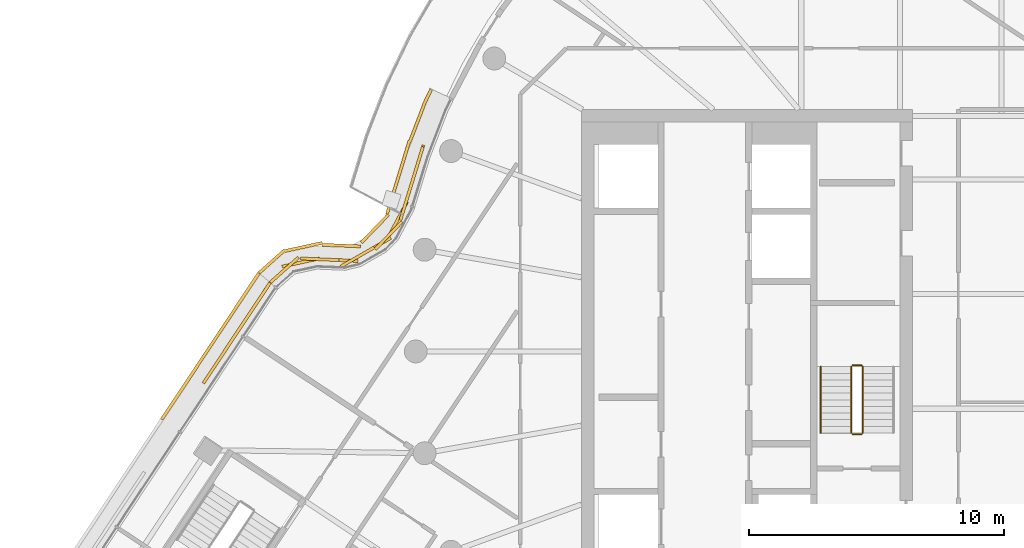
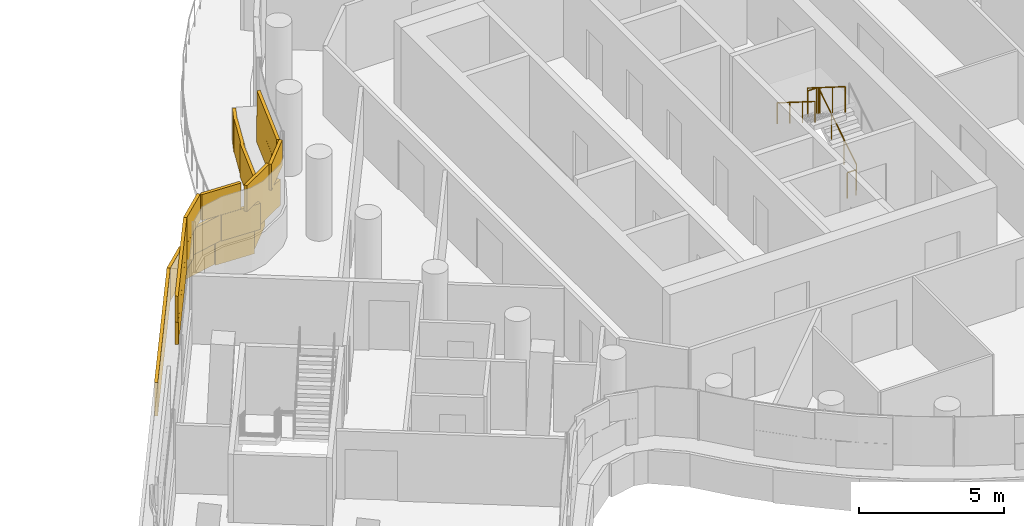
# One storey, part 23 of 27: 5 railings, 2 coverings.
"""IFC4 building model written with IfcOpenShell, lengths in metres."""

import ifcopenshell
import ifcopenshell.guid

model = None  # the IFC model being written
_history = None  # IfcOwnerHistory: only IFC2X3 demands one
_inside = {}  # id of a spatial element -> (the spatial element, [elements in it])
_under = {}  # id of a project, library or spatial element -> (it, [spatial elements below it])
_declared = {}  # id of a project -> (the project, [libraries it declares])
_typed = {}  # id of a type object -> (the type object, [elements of that type])
_made_of = {}  # id of a material, layer set ... -> (it, [elements and type objects made of it])


def new_model(schema):
    """Start an empty IFC model of exactly this schema.

    Asked for "IFC4X3", IfcOpenShell would pick the latest addendum, in which some entities
    have other attributes; the version numbers below select the first issue.
    IFC2X3 requires an IfcOwnerHistory on every rooted entity: one is made here for all.
    """
    global model, _history
    if schema == "IFC4X3":
        model = ifcopenshell.file(schema_version=(4, 3, 0, 0))
    else:
        model = ifcopenshell.file(schema=schema)
    _inside.clear()
    _under.clear()
    _declared.clear()
    _typed.clear()
    _made_of.clear()
    _history = None
    if model.schema == "IFC2X3":
        org = make("IfcOrganization", Name="unknown")
        user = make(
            "IfcPersonAndOrganization",
            ThePerson=make("IfcPerson", FamilyName="unknown"),
            TheOrganization=org,
        )
        app = make(
            "IfcApplication",
            ApplicationDeveloper=org,
            Version="unknown",
            ApplicationFullName="unknown",
            ApplicationIdentifier="unknown",
        )
        _history = make(
            "IfcOwnerHistory",
            OwningUser=user,
            OwningApplication=app,
            ChangeAction="ADDED",
            CreationDate=0,
        )
    return model


def make(cls, **values):
    """One entity of the class cls with the attributes given. An attribute that is None is left unset."""
    return model.create_entity(
        cls, **{name: value for name, value in values.items() if value is not None}
    )


def rooted(cls, **values):
    """An entity with a GlobalId (a new one), such as an element, a storey or a relation."""
    return make(cls, GlobalId=ifcopenshell.guid.new(), OwnerHistory=_history, **values)


def si_unit(unit_type, name, prefix=None):
    """IfcSIUnit, for example si_unit("LENGTHUNIT", "METRE", prefix="MILLI")."""
    return make("IfcSIUnit", UnitType=unit_type, Prefix=prefix, Name=name)


def assignment(units):
    """IfcUnitAssignment: the units of a project."""
    return None if units is None else make("IfcUnitAssignment", Units=units)


def point(xyz):
    """IfcCartesianPoint."""
    return None if xyz is None else make("IfcCartesianPoint", Coordinates=xyz)


def direction(xyz):
    """IfcDirection."""
    return None if xyz is None else make("IfcDirection", DirectionRatios=xyz)


def frame(location, z_axis=None, x_axis=None):
    """IfcAxis2Placement3D, a coordinate frame: its origin and axes. An axis left out is left unset."""
    return make(
        "IfcAxis2Placement3D",
        Location=point(location),
        Axis=direction(z_axis),
        RefDirection=direction(x_axis),
    )


def frame_2d(location, x_axis=None):
    """IfcAxis2Placement2D, a coordinate frame in the plane: its origin and x axis."""
    return make(
        "IfcAxis2Placement2D", Location=point(location), RefDirection=direction(x_axis)
    )


def origin():
    """The frame at (0, 0, 0) with its axes left unset."""
    return frame((0.0, 0.0, 0.0))


def origin_2d():
    """The frame at (0, 0) in the plane with its x axis left unset."""
    return frame_2d((0.0, 0.0))


def place(relative_to, where):
    """IfcLocalPlacement: puts the frame where relative to a parent placement (None: the world)."""
    return make(
        "IfcLocalPlacement", PlacementRelTo=relative_to, RelativePlacement=where
    )


def context(
    kind, dimensions, precision=None, world=None, true_north=None, identifier=None
):
    """IfcGeometricRepresentationContext, for example the 3D "Model" context."""
    return make(
        "IfcGeometricRepresentationContext",
        ContextIdentifier=identifier,
        ContextType=kind,
        CoordinateSpaceDimension=dimensions,
        Precision=precision,
        WorldCoordinateSystem=world,
        TrueNorth=true_north,
    )


def subcontext(parent, identifier, kind, view, scale=None):
    """IfcGeometricRepresentationSubContext, for example "Body" below "Model"."""
    return make(
        "IfcGeometricRepresentationSubContext",
        ContextIdentifier=identifier,
        ContextType=kind,
        ParentContext=parent,
        TargetScale=scale,
        TargetView=view,
    )


def project(units=None, contexts=None):
    """IfcProject with its units and contexts."""
    return rooted(
        "IfcProject",
        Name="project",
        RepresentationContexts=contexts,
        UnitsInContext=assignment(units),
    )


def spatial(cls, under=None, at=None, **own):
    """A site, building, storey or space (cls), placed at a placement, below another one or the project."""
    s = rooted(cls, ObjectPlacement=at, **own)
    if under is not None:
        _under.setdefault(under.id(), (under, []))[1].append(s)
    return s


def profile(cls, at=None, kind="AREA", **sizes):
    """A parametric profile (cls). Its sizes go by their IFC names, for example OverallWidth=200.0."""
    return make(cls, ProfileType=kind, Position=at, **sizes)


def rectangle(**sizes):
    """IfcRectangleProfileDef."""
    return profile("IfcRectangleProfileDef", **sizes)


def circle(**sizes):
    """IfcCircleProfileDef."""
    return profile("IfcCircleProfileDef", **sizes)


def extrude(swept, where, along, depth):
    """IfcExtrudedAreaSolid: the profile swept, set in the frame where, extruded along a direction by depth."""
    return make(
        "IfcExtrudedAreaSolid",
        SweptArea=swept,
        Position=where,
        ExtrudedDirection=direction(along),
        Depth=depth,
    )


def shape(context_of_items, identifier, shape_type, items):
    """IfcShapeRepresentation: the items that make up one representation, for example the "Body"."""
    return make(
        "IfcShapeRepresentation",
        ContextOfItems=context_of_items,
        RepresentationIdentifier=identifier,
        RepresentationType=shape_type,
        Items=items,
    )


def material(Name=None, Category=None):
    """IfcMaterial."""
    return make("IfcMaterial", Name=Name, Category=Category)


def layer(
    of_material, thickness, ventilated=None, Name=None, Category=None, Priority=None
):
    """IfcMaterialLayer: one layer of a wall or slab, of a material (None: an air gap)."""
    return make(
        "IfcMaterialLayer",
        Material=of_material,
        LayerThickness=thickness,
        IsVentilated=ventilated,
        Name=Name,
        Category=Category,
        Priority=Priority,
    )


def layer_set(layers, Name=None):
    """IfcMaterialLayerSet."""
    return make("IfcMaterialLayerSet", MaterialLayers=layers, LayerSetName=Name)


def made_of(thing, what):
    """Note that an element or type object is made of a material, layer set ...; save() writes the relation."""
    if what is not None:
        _made_of.setdefault(what.id(), (what, []))[1].append(thing)
    return thing


def type_object(cls, material=None, **own):
    """A type object (cls), such as IfcWallType, which elements share."""
    return made_of(rooted(cls, **own), material)


def element(
    cls,
    number,
    at=None,
    inside=None,
    cuts=None,
    type_object=None,
    material=None,
    context=None,
    identifier="Body",
    shape_type=None,
    held_by="IfcProductDefinitionShape",
    body=None,
    shapes=None,
    **own,
):
    """One element of the class cls, such as IfcWall. Its Tag is "e" and its number.

    at: its placement. inside: the storey or other place that contains it. cuts: it is an
    opening in that element (IfcRelVoidsElement). A single representation is given by context,
    identifier, shape_type and body (its items); several are given by shapes. held_by: the class
    of the entity that holds the representations. save() writes the other relations.
    """
    e = rooted(cls, Tag="e%d" % number, ObjectPlacement=at, **own)
    if body is not None:
        shapes = [shape(context, identifier, shape_type, body)]
    if shapes is not None:
        e.Representation = make(held_by, Representations=shapes)
    if inside is not None:
        _inside.setdefault(inside.id(), (inside, []))[1].append(e)
    if cuts is not None:
        rooted(
            "IfcRelVoidsElement", RelatingBuildingElement=cuts, RelatedOpeningElement=e
        )
    if type_object is not None:
        _typed.setdefault(type_object.id(), (type_object, []))[1].append(e)
    return made_of(e, material)


def aggregate(whole, parts):
    """IfcRelAggregates: a whole, such as a stair, and the parts it consists of."""
    return rooted("IfcRelAggregates", RelatingObject=whole, RelatedObjects=parts)


def save(model, path):
    """Write the relations noted so far, then the file.

    IfcRelAggregates (storeys below a building ...), IfcRelContainedInSpatialStructure (elements
    in a storey), IfcRelDefinesByType, IfcRelAssociatesMaterial and IfcRelDeclares: one each for
    every whole, place, type object, material and project.
    """
    for whole, parts in _under.values():
        aggregate(whole, parts)
    for where, things in _inside.values():
        rooted(
            "IfcRelContainedInSpatialStructure",
            RelatedElements=things,
            RelatingStructure=where,
        )
    for kind, things in _typed.values():
        rooted("IfcRelDefinesByType", RelatedObjects=things, RelatingType=kind)
    for what, things in _made_of.values():
        rooted("IfcRelAssociatesMaterial", RelatedObjects=things, RelatingMaterial=what)
    for by, libraries in _declared.values():
        rooted("IfcRelDeclares", RelatingContext=by, RelatedDefinitions=libraries)
    model.write(path)


model = new_model("IFC4")

# Units and contexts
model_context = context("Model", 3, precision=1e-05, world=origin(), true_north=direction((0.0, 1.0)))
body_context = subcontext(model_context, "Body", "Model", "MODEL_VIEW")
ifc_project = project(units=[si_unit("LENGTHUNIT", "METRE"), si_unit("AREAUNIT", "SQUARE_METRE"), si_unit("VOLUMEUNIT", "CUBIC_METRE"), si_unit("PLANEANGLEUNIT", "RADIAN"), si_unit("MASSUNIT", "GRAM", prefix="KILO")], contexts=[model_context])

# Site, building, storey
site_placement = place(None, origin())
site = spatial("IfcSite", under=ifc_project, at=site_placement, CompositionType="ELEMENT")
building_placement = place(site_placement, origin())
building = spatial("IfcBuilding", under=site, at=building_placement, Name="Tamarind Cross Interchange Tower", CompositionType="ELEMENT")
storey_placement = place(building_placement, frame((0.0, 0.0, 237.89990234375)))
storey = spatial("IfcBuildingStorey", under=building, at=storey_placement, Name="L60", CompositionType="ELEMENT", Elevation=237.89990234375)

# Railings
ifc_material_1 = material(Name="Stair guard")
railing_type_1 = type_object("IfcRailingType", Name="Stair guard", PredefinedType="GUARDRAIL", material=ifc_material_1)
railing_1_placement = place(storey_placement, frame((-5.449951171875, -3.199951171875, 0.163818359375)))
element("IfcRailing", 1, at=railing_1_placement, inside=storey, type_object=railing_type_1, Name="L60 ST1 stair guard 1", PredefinedType="GUARDRAIL", context=body_context, shape_type="SweptSolid", body=[
    extrude(circle(Radius=0.02392578125, at=origin_2d()), frame((0.0, 0.0, 1.076171875), z_axis=(0.0, 0.846337672412, 0.532646734952), x_axis=(-1.0, 0.0, 0.0)), (0.0, 0.0, 1.0), 3.07177734375),
    extrude(circle(Radius=0.02099609375, at=origin_2d()), origin(), (0.0, 0.0, 1.0), 1.052001953125),
    extrude(circle(Radius=0.02099609375, at=origin_2d()), frame((0.0, 0.86669921875, 0.54541015625)), (0.0, 0.0, 1.0), 1.052001953125),
    extrude(circle(Radius=0.02099609375, at=origin_2d()), frame((0.0, 1.733154296875, 1.0908203125)), (0.0, 0.0, 1.0), 1.052001953125),
    extrude(circle(Radius=0.02099609375, at=origin_2d()), frame((0.0, 2.599853515625, 1.63623046875)), (0.0, 0.0, 1.0), 1.052001953125),
])
railing_2_placement = place(storey_placement, frame((-5.5, -0.550048828125, 1.800048828125)))
element("IfcRailing", 2, at=railing_2_placement, inside=storey, type_object=railing_type_1, Name="L60 ST1 stair guard 2", PredefinedType="GUARDRAIL", context=body_context, shape_type="SweptSolid", body=[
    extrude(circle(Radius=0.02392578125, at=origin_2d()), frame((0.0, 0.0, 1.076171875), z_axis=(-1.0, 0.0, 0.0), x_axis=(0.0, -1.0, 0.0)), (0.0, 0.0, 1.0), 0.35009765625),
    extrude(circle(Radius=0.02099609375, at=origin_2d()), origin(), (0.0, 0.0, 1.0), 1.052001953125),
    extrude(circle(Radius=0.02099609375, at=origin_2d()), frame((-0.35009765625, 0.0, 0.0)), (0.0, 0.0, 1.0), 1.052001953125),
])
railing_3_placement = place(storey_placement, frame((-5.89990234375, -0.60009765625, 1.963623046875)))
element("IfcRailing", 3, at=railing_3_placement, inside=storey, type_object=railing_type_1, Name="L60 ST1 stair guard 3", PredefinedType="GUARDRAIL", context=body_context, shape_type="SweptSolid", body=[
    extrude(circle(Radius=0.02392578125, at=origin_2d()), frame((0.0, 0.0, 1.076171875), z_axis=(0.0, -0.846301844409, 0.532703658848), x_axis=(1.0, 0.0, 0.0)), (0.0, 0.0, 1.0), 3.072021484375),
    extrude(circle(Radius=0.02099609375, at=origin_2d()), origin(), (0.0, 0.0, 1.0), 1.052001953125),
    extrude(circle(Radius=0.02099609375, at=origin_2d()), frame((0.0, -0.86669921875, 0.54541015625)), (0.0, 0.0, 1.0), 1.052001953125),
    extrude(circle(Radius=0.02099609375, at=origin_2d()), frame((0.0, -1.733154296875, 1.091064453125)), (0.0, 0.0, 1.0), 1.052001953125),
    extrude(circle(Radius=0.02099609375, at=origin_2d()), frame((0.0, -2.599853515625, 1.636474609375)), (0.0, 0.0, 1.0), 1.052001953125),
])
railing_4_placement = place(storey_placement, frame((-5.5, -3.25, 0.0)))
element("IfcRailing", 4, at=railing_4_placement, inside=storey, type_object=railing_type_1, Name="L60 ST1 stair guard 4", PredefinedType="GUARDRAIL", context=body_context, shape_type="SweptSolid", body=[
    extrude(circle(Radius=0.02392578125, at=origin_2d()), frame((0.0, 0.0, 1.076171875), z_axis=(-1.0, 0.0, 0.0), x_axis=(0.0, -1.0, 0.0)), (0.0, 0.0, 1.0), 0.35009765625),
    extrude(circle(Radius=0.02099609375, at=origin_2d()), origin(), (0.0, 0.0, 1.0), 1.052001953125),
    extrude(circle(Radius=0.02099609375, at=origin_2d()), frame((-0.35009765625, 0.0, 0.0)), (0.0, 0.0, 1.0), 1.052001953125),
])
ifc_material_2 = material(Name="Stair handrail")
railing_type_2 = type_object("IfcRailingType", Name="Stair handrail", PredefinedType="HANDRAIL", material=ifc_material_2)
railing_5_placement = place(storey_placement, frame((-7.10009765625, -0.60009765625, 1.963623046875)))
element("IfcRailing", 5, at=railing_5_placement, inside=storey, type_object=railing_type_2, Name="L60 ST1 stair handrail 2", PredefinedType="HANDRAIL", context=body_context, shape_type="SweptSolid", body=[
    extrude(circle(Radius=0.02392578125, at=origin_2d()), frame((0.0, 0.0, 0.8759765625), z_axis=(0.0, -0.846301844409, 0.532703658848), x_axis=(1.0, 0.0, 0.0)), (0.0, 0.0, 1.0), 3.072021484375),
    extrude(circle(Radius=0.02099609375, at=origin_2d()), origin(), (0.0, 0.0, 1.0), 0.851806640625),
    extrude(circle(Radius=0.02099609375, at=origin_2d()), frame((0.0, -0.86669921875, 0.54541015625)), (0.0, 0.0, 1.0), 0.851806640625),
    extrude(circle(Radius=0.02099609375, at=origin_2d()), frame((0.0, -1.733154296875, 1.091064453125)), (0.0, 0.0, 1.0), 0.851806640625),
    extrude(circle(Radius=0.02099609375, at=origin_2d()), frame((0.0, -2.599853515625, 1.636474609375)), (0.0, 0.0, 1.0), 0.851806640625),
])

# Coverings
ifc_material_3 = material(Name="Terracotta", Category="masonry")
ifc_layer = layer(ifc_material_3, 0.1201171875)
ifc_layer_set = layer_set([ifc_layer], Name="Terracotta")
covering_type = type_object("IfcCoveringType", Name="Terracotta baguette screen unit", PredefinedType="MOLDING", material=ifc_layer_set)
covering_1_placement = place(storey_placement, origin())
element("IfcCovering", 6, at=covering_1_placement, inside=storey, type_object=covering_type, Name="SCR-L60-06-01", PredefinedType="MOLDING", context=body_context, shape_type="SweptSolid", body=[
    extrude(rectangle(XDim=0.83154296875, YDim=0.1201171875, at=origin_2d()), frame((-22.819580078125, 7.705322265625, 1.404296875), z_axis=(0.0, 0.0, 1.0), x_axis=(-0.293333117786, -0.956010293883, 0.0)), (0.0, 0.0, 1.0), 1.092041015625),
    extrude(rectangle(XDim=1.52001953125, YDim=0.1201171875, at=origin_2d()), frame((-23.16015625, 6.595703125, 1.404296875), z_axis=(0.0, 0.0, 1.0), x_axis=(-0.293333117786, -0.956010293883, 0.0)), (0.0, 0.0, 1.0), 1.092041015625),
    extrude(rectangle(XDim=1.52001953125, YDim=0.1201171875, at=origin_2d()), frame((-23.696044921875, 5.201416015625, 1.404296875), z_axis=(0.0, 0.0, 1.0), x_axis=(-0.468935520839, -0.883232402766, 0.0)), (0.0, 0.0, 1.0), 1.092041015625),
    extrude(rectangle(XDim=1.52001953125, YDim=0.1201171875, at=origin_2d()), frame((-24.6396484375, 4.08056640625, 1.404296875), z_axis=(0.0, 0.0, 1.0), x_axis=(-0.867864774238, -0.496800496817, 0.0)), (0.0, 0.0, 1.0), 1.092041015625),
    extrude(rectangle(XDim=1.52001953125, YDim=0.1201171875, at=origin_2d()), frame((-26.023193359375, 3.5859375, 1.404296875), z_axis=(0.0, 0.0, 1.0), x_axis=(-0.999080164202, 0.042881528628, 0.0)), (0.0, 0.0, 1.0), 1.092041015625),
    extrude(rectangle(XDim=1.52001953125, YDim=0.1201171875, at=origin_2d()), frame((-27.50830078125, 3.492431640625, 1.404296875), z_axis=(0.0, 0.0, 1.0), x_axis=(-0.977188363431, -0.212374439081, 0.0)), (0.0, 0.0, 1.0), 1.092041015625),
    extrude(rectangle(XDim=0.7451171875, YDim=0.1201171875, at=origin_2d()), frame((-28.442626953125, 2.9453125, 1.404296875), z_axis=(0.0, 0.0, 1.0), x_axis=(-0.74663842672, -0.665230080306, 0.0)), (0.0, 0.0, 1.0), 1.092041015625),
    extrude(rectangle(XDim=1.52001953125, YDim=0.1201171875, at=origin_2d()), frame((-22.940185546875, 7.3125, 2.50390625), z_axis=(0.0, 0.0, 1.0), x_axis=(-0.293333117786, -0.956010293883, 0.0)), (0.0, 0.0, 1.0), 1.092041015625),
    extrude(rectangle(XDim=1.52001953125, YDim=0.1201171875, at=origin_2d()), frame((-23.380126953125, 5.878662109375, 2.50390625), z_axis=(0.0, 0.0, 1.0), x_axis=(-0.293333117786, -0.956010293883, 0.0)), (0.0, 0.0, 1.0), 1.092041015625),
    extrude(rectangle(XDim=1.52001953125, YDim=0.1201171875, at=origin_2d()), frame((-24.06494140625, 4.55126953125, 2.50390625), z_axis=(0.0, 0.0, 1.0), x_axis=(-0.695766600021, -0.718267943246, 0.0)), (0.0, 0.0, 1.0), 1.092041015625),
    extrude(rectangle(XDim=1.52001953125, YDim=0.1201171875, at=origin_2d()), frame((-25.29052734375, 3.7080078125, 2.50390625), z_axis=(0.0, 0.0, 1.0), x_axis=(-0.867864774238, -0.496800496817, 0.0)), (0.0, 0.0, 1.0), 1.092041015625),
    extrude(rectangle(XDim=1.52001953125, YDim=0.1201171875, at=origin_2d()), frame((-26.772705078125, 3.6181640625, 2.50390625), z_axis=(0.0, 0.0, 1.0), x_axis=(-0.999080164202, 0.042881528628, 0.0)), (0.0, 0.0, 1.0), 1.092041015625),
    extrude(rectangle(XDim=1.4951171875, YDim=0.1201171875, at=origin_2d()), frame((-28.162841796875, 3.19482421875, 2.50390625), z_axis=(0.0, 0.0, 1.0), x_axis=(-0.74663842672, -0.665230080306, 0.0)), (0.0, 0.0, 1.0), 1.092041015625),
    extrude(rectangle(XDim=0.66943359375, YDim=0.1201171875, at=origin_2d()), frame((-22.5478515625, 9.97021484375, 0.004150390625), z_axis=(0.0, 0.0, 1.0), x_axis=(-0.435326231914, -0.900272776334, 0.0)), (0.0, 0.0, 1.0), 1.39208984375),
    extrude(rectangle(XDim=1.52001953125, YDim=0.1201171875, at=origin_2d()), frame((-22.94775390625, 8.973388671875, 0.004150390625), z_axis=(0.0, 0.0, 1.0), x_axis=(-0.359495435512, -0.933146843667, 0.0)), (0.0, 0.0, 1.0), 1.39208984375),
    extrude(rectangle(XDim=1.52001953125, YDim=0.1201171875, at=origin_2d()), frame((-23.463134765625, 7.5654296875, 0.004150390625), z_axis=(0.0, 0.0, 1.0), x_axis=(-0.293333117786, -0.956010293883, 0.0)), (0.0, 0.0, 1.0), 1.39208984375),
    extrude(rectangle(XDim=1.52001953125, YDim=0.1201171875, at=origin_2d()), frame((-23.903076171875, 6.13134765625, 0.004150390625), z_axis=(0.0, 0.0, 1.0), x_axis=(-0.293333117786, -0.956010293883, 0.0)), (0.0, 0.0, 1.0), 1.39208984375),
    extrude(rectangle(XDim=1.52001953125, YDim=0.1201171875, at=origin_2d()), frame((-24.605224609375, 4.818603515625, 0.004150390625), z_axis=(0.0, 0.0, 1.0), x_axis=(-0.695766600021, -0.718267943246, 0.0)), (0.0, 0.0, 1.0), 1.39208984375),
    extrude(rectangle(XDim=1.52001953125, YDim=0.1201171875, at=origin_2d()), frame((-25.92041015625, 4.156005859375, 0.004150390625), z_axis=(0.0, 0.0, 1.0), x_axis=(-0.999080164202, 0.042881528628, 0.0)), (0.0, 0.0, 1.0), 1.39208984375),
    extrude(rectangle(XDim=1.52001953125, YDim=0.1201171875, at=origin_2d()), frame((-27.408935546875, 4.1015625, 0.004150390625), z_axis=(0.0, 0.0, 1.0), x_axis=(-0.977188363431, -0.212374439081, 0.0)), (0.0, 0.0, 1.0), 1.39208984375),
    extrude(rectangle(XDim=1.347412109375, YDim=0.1201171875, at=origin_2d()), frame((-28.6513671875, 3.5283203125, 0.004150390625), z_axis=(0.0, 0.0, 1.0), x_axis=(-0.74663842672, -0.665230080306, 0.0)), (0.0, 0.0, 1.0), 1.39208984375),
])
covering_2_placement = place(storey_placement, origin())
element("IfcCovering", 7, at=covering_2_placement, inside=storey, type_object=covering_type, Name="SCR-L60-07-00", PredefinedType="MOLDING", context=body_context, shape_type="SweptSolid", body=[
    extrude(rectangle(XDim=1.510009765625, YDim=0.1201171875, at=origin_2d()), frame((-29.132080078125, 2.076171875, 1.404296875), z_axis=(0.0, 0.0, 1.0), x_axis=(-0.55311240359, -0.833106637229, 0.0)), (0.0, 0.0, 1.0), 1.092041015625),
    extrude(rectangle(XDim=1.52001953125, YDim=0.1201171875, at=origin_2d()), frame((-29.961669921875, 0.826416015625, 1.404296875), z_axis=(0.0, 0.0, 1.0), x_axis=(-0.55311240359, -0.833106637229, 0.0)), (0.0, 0.0, 1.0), 1.092041015625),
    extrude(rectangle(XDim=1.52001953125, YDim=0.1201171875, at=origin_2d()), frame((-30.791259765625, -0.42333984375, 1.404296875), z_axis=(0.0, 0.0, 1.0), x_axis=(-0.55311240359, -0.833106637229, 0.0)), (0.0, 0.0, 1.0), 1.092041015625),
    extrude(rectangle(XDim=0.760009765625, YDim=0.1201171875, at=origin_2d()), frame((-28.924560546875, 2.388427734375, 2.50390625), z_axis=(0.0, 0.0, 1.0), x_axis=(-0.55311240359, -0.833106637229, 0.0)), (0.0, 0.0, 1.0), 1.092041015625),
    extrude(rectangle(XDim=1.52001953125, YDim=0.1201171875, at=origin_2d()), frame((-29.546875, 1.451171875, 2.50390625), z_axis=(0.0, 0.0, 1.0), x_axis=(-0.55311240359, -0.833106637229, 0.0)), (0.0, 0.0, 1.0), 1.092041015625),
    extrude(rectangle(XDim=1.52001953125, YDim=0.1201171875, at=origin_2d()), frame((-30.37646484375, 0.20166015625, 2.50390625), z_axis=(0.0, 0.0, 1.0), x_axis=(-0.55311240359, -0.833106637229, 0.0)), (0.0, 0.0, 1.0), 1.092041015625),
    extrude(rectangle(XDim=0.992919921875, YDim=0.1201171875, at=origin_2d()), frame((-31.063232421875, -0.832763671875, 2.50390625), z_axis=(0.0, 0.0, 1.0), x_axis=(-0.55311240359, -0.833106637229, 0.0)), (0.0, 0.0, 1.0), 1.092041015625),
    extrude(rectangle(XDim=1.510009765625, YDim=0.1201171875, at=origin_2d()), frame((-29.572021484375, 2.451171875, 0.004150390625), z_axis=(0.0, 0.0, 1.0), x_axis=(-0.55311240359, -0.833106637229, 0.0)), (0.0, 0.0, 1.0), 1.39208984375),
    extrude(rectangle(XDim=1.52001953125, YDim=0.1201171875, at=origin_2d()), frame((-30.39892578125, 1.20556640625, 0.004150390625), z_axis=(0.0, 0.0, 1.0), x_axis=(-0.55311240359, -0.833106637229, 0.0)), (0.0, 0.0, 1.0), 1.39208984375),
    extrude(rectangle(XDim=1.52001953125, YDim=0.1201171875, at=origin_2d()), frame((-31.228515625, -0.0439453125, 0.004150390625), z_axis=(0.0, 0.0, 1.0), x_axis=(-0.55311240359, -0.833106637229, 0.0)), (0.0, 0.0, 1.0), 1.39208984375),
    extrude(rectangle(XDim=1.52001953125, YDim=0.1201171875, at=origin_2d()), frame((-32.05810546875, -1.293701171875, 0.004150390625), z_axis=(0.0, 0.0, 1.0), x_axis=(-0.55311240359, -0.833106637229, 0.0)), (0.0, 0.0, 1.0), 1.39208984375),
    extrude(rectangle(XDim=0.9052734375, YDim=0.1201171875, at=origin_2d()), frame((-32.7177734375, -2.287109375, 0.004150390625), z_axis=(0.0, 0.0, 1.0), x_axis=(-0.55311240359, -0.833106637229, 0.0)), (0.0, 0.0, 1.0), 1.39208984375),
])

save(model, "model.ifc")
